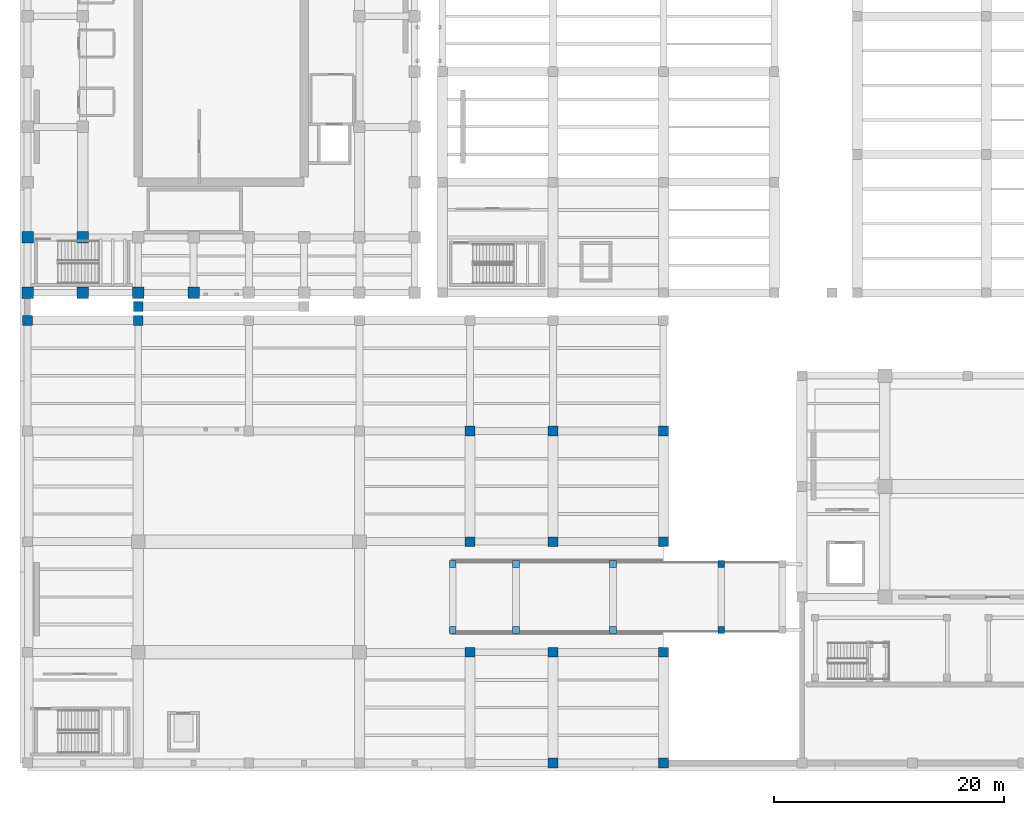
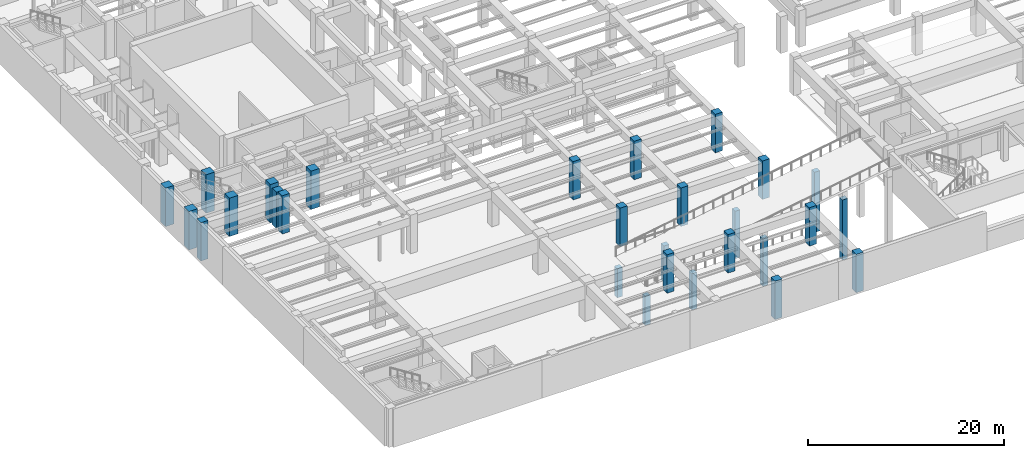
# One storey, part 3 of 45: 28 columns.
"""IFC4 building model written with IfcOpenShell, lengths in metres."""

from ifc_helpers import new_model, si_unit, direction, frame, origin, origin_2d, place, context, subcontext, project, spatial, rectangle, extrude, material, material_profile, profile_set, type_object, element, save


model = new_model("IFC4")

# Units and contexts
model_context = context("Model", 3, precision=1e-05, world=origin(), true_north=direction((0.0, 1.0)))
body_context = subcontext(model_context, "Body", "Model", "MODEL_VIEW")
ifc_project = project(units=[si_unit("LENGTHUNIT", "METRE"), si_unit("AREAUNIT", "SQUARE_METRE"), si_unit("VOLUMEUNIT", "CUBIC_METRE"), si_unit("PLANEANGLEUNIT", "RADIAN"), si_unit("MASSUNIT", "GRAM", prefix="KILO")], contexts=[model_context])

# Site, building, storey
site_placement = place(None, origin())
site = spatial("IfcSite", under=ifc_project, at=site_placement, CompositionType="ELEMENT")
building_placement = place(site_placement, origin())
building = spatial("IfcBuilding", under=site, at=building_placement, Name="Mavantir Sound Aquarium", CompositionType="ELEMENT")
storey_placement = place(building_placement, frame((0.0, 0.0, -4.800048828125)))
storey = spatial("IfcBuildingStorey", under=building, at=storey_placement, Name="B1", CompositionType="ELEMENT", Elevation=-4.800048828125)

# Columns
ifc_material = material(Name="Concrete C40/50", Category="concrete")
ifc_material_profile_1 = material_profile(ifc_material, rectangle(XDim=1.0, YDim=1.0, at=origin_2d()), Name="RC 1000X1000")
ifc_profile_set_1 = profile_set([ifc_material_profile_1], Name="Concrete C40/50")
column_type_1 = type_object("IfcColumnType", Name="COL-RC1000-E", PredefinedType="COLUMN", material=ifc_profile_set_1)
for number, where, z_axis, x_axis, name in (
    (1, (0.0, 40.800048828125, 0.0), (0.0, 0.0, 1.0), (1.0, 0.0, 0.0), "B1 column RC-C10 (V1)"),
    (2, (0.0, 45.60009765625, 0.0), (0.0, 0.0, 1.0), (1.0, 0.0, 0.0), "B1 column RC-C10 (V1)"),
):
    element("IfcColumn", number, at=place(storey_placement, frame(where, z_axis=z_axis, x_axis=x_axis)), inside=storey, type_object=column_type_1, Name=name, PredefinedType="COLUMN", context=body_context, shape_type="SweptSolid", body=[
        extrude(rectangle(XDim=1.0, YDim=1.0, at=origin_2d()), origin(), (0.0, 0.0, 1.0), 4.800048828125),
    ])
ifc_material_profile_2 = material_profile(ifc_material, rectangle(XDim=1.0, YDim=1.0, at=origin_2d()), Name="RC 1000X1000")
ifc_profile_set_2 = profile_set([ifc_material_profile_2], Name="Concrete C40/50")
column_type_2 = type_object("IfcColumnType", Name="COL-RC1000-I", PredefinedType="COLUMN", material=ifc_profile_set_2)
for number, where, z_axis, x_axis, name in (
    (3, (4.800048828125, 40.800048828125, 0.0), (0.0, 0.0, 1.0), (1.0, 0.0, 0.0), "B1 column RC-C10 (V1)"),
    (4, (4.800048828125, 45.60009765625, 0.0), (0.0, 0.0, 1.0), (1.0, 0.0, 0.0), "B1 column RC-C10 (V1)"),
    (5, (9.60009765625, 40.800048828125, 0.0), (0.0, 0.0, 1.0), (1.0, 0.0, 0.0), "B1 column RC-C10 (V1)"),
    (6, (14.39990234375, 40.800048828125, 0.0), (0.0, 0.0, 1.0), (1.0, 0.0, 0.0), "B1 column RC-C10 (V1)"),
):
    element("IfcColumn", number, at=place(storey_placement, frame(where, z_axis=z_axis, x_axis=x_axis)), inside=storey, type_object=column_type_2, Name=name, PredefinedType="COLUMN", context=body_context, shape_type="SweptSolid", body=[
        extrude(rectangle(XDim=1.0, YDim=1.0, at=origin_2d()), origin(), (0.0, 0.0, 1.0), 4.800048828125),
    ])
ifc_material_profile_3 = material_profile(ifc_material, rectangle(XDim=0.60009765625, YDim=0.60009765625, at=origin_2d()), Name="RC 600X600")
ifc_profile_set_3 = profile_set([ifc_material_profile_3], Name="Concrete C40/50")
column_type_3 = type_object("IfcColumnType", Name="COL-RC600-I", PredefinedType="COLUMN", material=ifc_profile_set_3)
for number, where, z_axis, x_axis, name in (
    (7, (42.39990234375, 11.550048828125, -4.800048828125), (0.0, 0.0, 1.0), (1.0, 0.0, 0.0), "Vehicle ramp support pier 1"),
    (8, (42.39990234375, 17.25, -4.800048828125), (0.0, 0.0, 1.0), (1.0, 0.0, 0.0), "Vehicle ramp support pier 1"),
):
    element("IfcColumn", number, at=place(storey_placement, frame(where, z_axis=z_axis, x_axis=x_axis)), inside=storey, type_object=column_type_3, Name=name, PredefinedType="COLUMN", context=body_context, shape_type="SweptSolid", body=[
        extrude(rectangle(XDim=0.60009765625, YDim=0.60009765625, at=origin_2d()), origin(), (0.0, 0.0, 1.0), 4.541015625),
    ])
for number, where, z_axis, x_axis, name in (
    (9, (50.800048828125, 11.550048828125, -4.800048828125), (0.0, 0.0, 1.0), (1.0, 0.0, 0.0), "Vehicle ramp support pier 2"),
    (10, (50.800048828125, 17.25, -4.800048828125), (0.0, 0.0, 1.0), (1.0, 0.0, 0.0), "Vehicle ramp support pier 2"),
):
    element("IfcColumn", number, at=place(storey_placement, frame(where, z_axis=z_axis, x_axis=x_axis)), inside=storey, type_object=column_type_3, Name=name, PredefinedType="COLUMN", context=body_context, shape_type="SweptSolid", body=[
        extrude(rectangle(XDim=0.60009765625, YDim=0.60009765625, at=origin_2d()), origin(), (0.0, 0.0, 1.0), 5.94091796875),
    ])
for number, where, z_axis, x_axis, name in (
    (11, (60.199951171875, 11.550048828125, -4.800048828125), (0.0, 0.0, 1.0), (1.0, 0.0, 0.0), "Vehicle ramp support pier 3"),
    (12, (60.199951171875, 17.25, -4.800048828125), (0.0, 0.0, 1.0), (1.0, 0.0, 0.0), "Vehicle ramp support pier 3"),
):
    element("IfcColumn", number, at=place(storey_placement, frame(where, z_axis=z_axis, x_axis=x_axis)), inside=storey, type_object=column_type_3, Name=name, PredefinedType="COLUMN", context=body_context, shape_type="SweptSolid", body=[
        extrude(rectangle(XDim=0.60009765625, YDim=0.60009765625, at=origin_2d()), origin(), (0.0, 0.0, 1.0), 7.507568359375),
    ])
for number, where, z_axis, x_axis, name in (
    (13, (36.89990234375, 11.550048828125, -4.800048828125), (0.0, 0.0, 1.0), (1.0, 0.0, 0.0), "Vehicle ramp support pier 5"),
    (14, (36.89990234375, 17.25, -4.800048828125), (0.0, 0.0, 1.0), (1.0, 0.0, 0.0), "Vehicle ramp support pier 5"),
):
    element("IfcColumn", number, at=place(storey_placement, frame(where, z_axis=z_axis, x_axis=x_axis)), inside=storey, type_object=column_type_3, Name=name, PredefinedType="COLUMN", context=body_context, shape_type="SweptSolid", body=[
        extrude(rectangle(XDim=0.60009765625, YDim=0.60009765625, at=origin_2d()), origin(), (0.0, 0.0, 1.0), 3.624267578125),
    ])
ifc_material_profile_4 = material_profile(ifc_material, rectangle(XDim=0.85009765625, YDim=0.85009765625, at=origin_2d()), Name="RC 850X850")
ifc_profile_set_4 = profile_set([ifc_material_profile_4], Name="Concrete C40/50")
column_type_4 = type_object("IfcColumnType", Name="COL-RC850-E", PredefinedType="COLUMN", material=ifc_profile_set_4)
for number, where, z_axis, x_axis, name in (
    (15, (0.0, 38.39990234375, 0.0), (0.0, 0.0, 1.0), (1.0, 0.0, 0.0), "B1 column RC-C85 (V3)"),
    (16, (45.60009765625, 0.0, 0.0), (0.0, 0.0, 1.0), (1.0, 0.0, 0.0), "B1 column RC-C85 (V3)"),
    (17, (55.199951171875, 0.0, 0.0), (0.0, 0.0, 1.0), (1.0, 0.0, 0.0), "B1 column RC-C85 (V3)"),
):
    element("IfcColumn", number, at=place(storey_placement, frame(where, z_axis=z_axis, x_axis=x_axis)), inside=storey, type_object=column_type_4, Name=name, PredefinedType="COLUMN", context=body_context, shape_type="SweptSolid", body=[
        extrude(rectangle(XDim=0.85009765625, YDim=0.85009765625, at=origin_2d()), origin(), (0.0, 0.0, 1.0), 4.800048828125),
    ])
ifc_material_profile_5 = material_profile(ifc_material, rectangle(XDim=0.85009765625, YDim=0.85009765625, at=origin_2d()), Name="RC 850X850")
ifc_profile_set_5 = profile_set([ifc_material_profile_5], Name="Concrete C40/50")
column_type_5 = type_object("IfcColumnType", Name="COL-RC850-I", PredefinedType="COLUMN", material=ifc_profile_set_5)
for number, where, z_axis, x_axis, name in (
    (18, (9.60009765625, 38.39990234375, 0.0), (0.0, 0.0, 1.0), (1.0, 0.0, 0.0), "B1 column RC-C85 (V3)"),
    (19, (38.39990234375, 9.60009765625, 0.0), (0.0, 0.0, 1.0), (1.0, 0.0, 0.0), "B1 column RC-C85 (V3)"),
    (20, (38.39990234375, 19.199951171875, 0.0), (0.0, 0.0, 1.0), (1.0, 0.0, 0.0), "B1 column RC-C85 (V3)"),
    (21, (38.39990234375, 28.800048828125, 0.0), (0.0, 0.0, 1.0), (1.0, 0.0, 0.0), "B1 column RC-C85 (V3)"),
    (22, (45.60009765625, 9.60009765625, 0.0), (0.0, 0.0, 1.0), (1.0, 0.0, 0.0), "B1 column RC-C85 (V3)"),
    (23, (45.60009765625, 19.199951171875, 0.0), (0.0, 0.0, 1.0), (1.0, 0.0, 0.0), "B1 column RC-C85 (V3)"),
    (24, (45.60009765625, 28.800048828125, 0.0), (0.0, 0.0, 1.0), (1.0, 0.0, 0.0), "B1 column RC-C85 (V3)"),
    (25, (55.199951171875, 9.60009765625, 0.0), (0.0, 0.0, 1.0), (1.0, 0.0, 0.0), "B1 column RC-C85 (V3)"),
    (26, (55.199951171875, 19.199951171875, 0.0), (0.0, 0.0, 1.0), (1.0, 0.0, 0.0), "B1 column RC-C85 (V3)"),
    (27, (55.199951171875, 28.800048828125, 0.0), (0.0, 0.0, 1.0), (1.0, 0.0, 0.0), "B1 column RC-C85 (V3)"),
):
    element("IfcColumn", number, at=place(storey_placement, frame(where, z_axis=z_axis, x_axis=x_axis)), inside=storey, type_object=column_type_5, Name=name, PredefinedType="COLUMN", context=body_context, shape_type="SweptSolid", body=[
        extrude(rectangle(XDim=0.85009765625, YDim=0.85009765625, at=origin_2d()), origin(), (0.0, 0.0, 1.0), 4.800048828125),
    ])
column_placement = place(storey_placement, frame((9.60009765625, 39.60009765625, 0.0), z_axis=(0.0, 0.0, 1.0), x_axis=(1.0, 0.0, 0.0)))
element("IfcColumn", 28, at=column_placement, inside=storey, type_object=column_type_5, Name="B1 column RC-C85 (COURT)", PredefinedType="COLUMN", context=body_context, shape_type="SweptSolid", body=[
    extrude(rectangle(XDim=0.85009765625, YDim=0.85009765625, at=origin_2d()), origin(), (0.0, 0.0, 1.0), 4.5),
])

save(model, "model.ifc")
